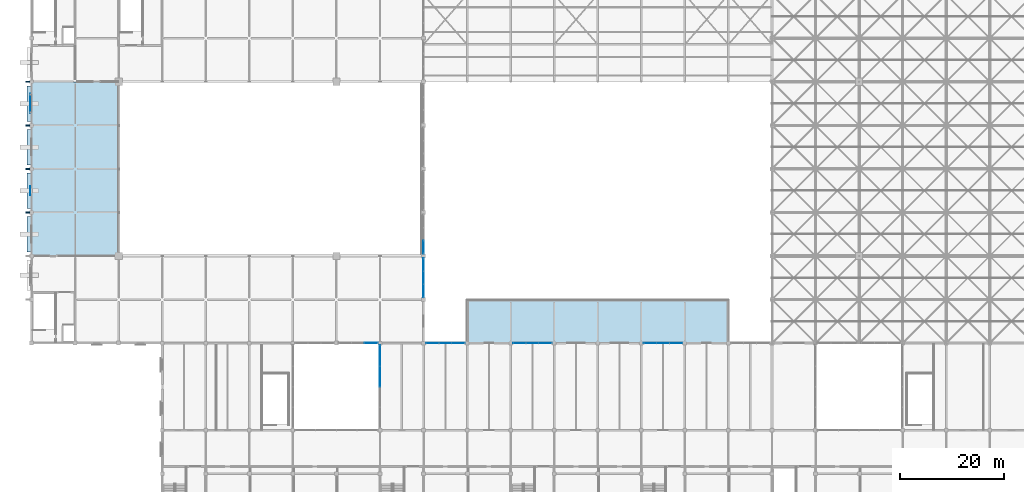
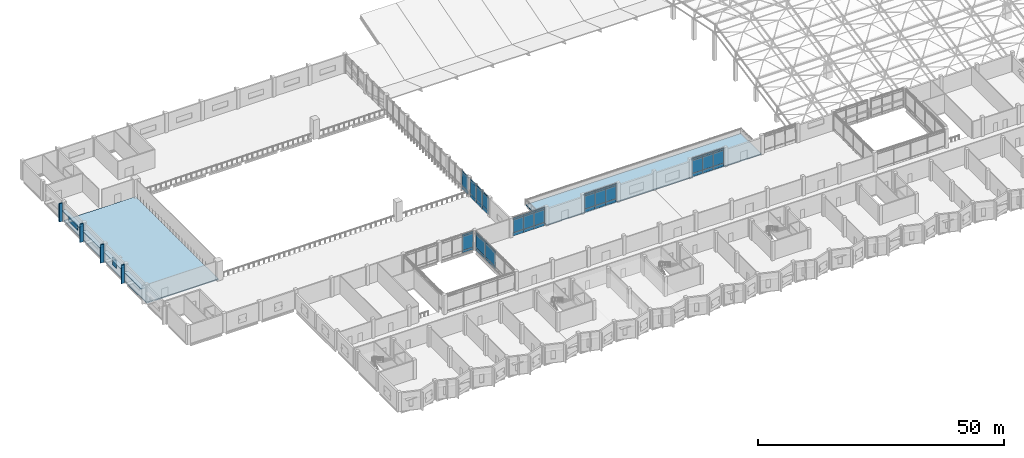
# One storey, part 73 of 110: 58 plates, 2 slabs, 7 elements without a shape of their own.
"""IFC4 building model written with IfcOpenShell, lengths in metres."""

from ifc_helpers import new_model, si_unit, direction, frame, frame_2d, origin, place, context, subcontext, project, spatial, polyline, rectangle, outline, extrude, material, layer, layer_set, type_object, element, aggregate, save


model = new_model("IFC4")

# Units and contexts
model_context = context("Model", 3, precision=1e-05, world=origin(), true_north=direction((0.0, 1.0)))
body_context = subcontext(model_context, "Body", "Model", "MODEL_VIEW")
ifc_project = project(units=[si_unit("LENGTHUNIT", "METRE"), si_unit("AREAUNIT", "SQUARE_METRE"), si_unit("VOLUMEUNIT", "CUBIC_METRE"), si_unit("PLANEANGLEUNIT", "RADIAN"), si_unit("MASSUNIT", "GRAM", prefix="KILO")], contexts=[model_context])

# Site, building, storey
site_placement = place(None, origin())
site = spatial("IfcSite", under=ifc_project, at=site_placement, CompositionType="ELEMENT")
building_placement = place(site_placement, origin())
building = spatial("IfcBuilding", under=site, at=building_placement, Name="Qawsi Khor Wholesale Market", CompositionType="ELEMENT")
storey_placement = place(building_placement, frame((0.0, 0.0, 11.39990234375)))
storey = spatial("IfcBuildingStorey", under=building, at=storey_placement, Name="L02", CompositionType="ELEMENT", Elevation=11.39990234375)

# Curtain wall, plate
ifc_material_1 = material(Name="Aluminium Anodised Bronze", Category="aluminium")
ifc_layer_1 = layer(ifc_material_1, 0.179931640625, Name="Aluminium Anodised Bronze")
ifc_layer_set_1 = layer_set([ifc_layer_1], Name="Aluminium Anodised Bronze")
curtain_wall_type_1 = type_object("IfcCurtainWallType", Name="Atrium Full-Height Curtain Wall CW-02", PredefinedType="NOTDEFINED", material=ifc_layer_set_1)
curtain_wall_1_placement = place(storey_placement, origin())
curtain_wall_1 = element("IfcCurtainWall", 1, at=curtain_wall_1_placement, inside=storey, type_object=curtain_wall_type_1, Name="Curtain wall CW-CW-02-L02-023", PredefinedType="NOTDEFINED")
ifc_material_2 = material(Name="Anodised Aluminium Spandrel", Category="aluminium")
ifc_layer_2 = layer(ifc_material_2, 0.06494140625, Name="Anodised Aluminium Spandrel")
ifc_layer_set_2 = layer_set([ifc_layer_2], Name="Anodised Aluminium Spandrel")
plate_type_1 = type_object("IfcPlateType", Name="Insulated Spandrel Panel CW-02 65mm", PredefinedType="CURTAIN_PANEL", material=ifc_layer_set_2)
plate_1_placement = place(storey_placement, frame((64.260009765625, 42.0, 0.005126953125), z_axis=(0.0, 0.0, 1.0), x_axis=(1.0, 0.0, 0.0)))
plate_1 = element("IfcPlate", 2, at=plate_1_placement, type_object=plate_type_1, Name="Curtain panel CW-CW-02-L02-023-P0_02", PredefinedType="CURTAIN_PANEL", context=body_context, shape_type="SweptSolid", body=[
    extrude(rectangle(XDim=2.494873046875, YDim=0.06494140625, at=frame_2d((1.24755859375, 0.0))), origin(), (0.0, 0.0, 1.0), 0.590087890625),
])

# Curtain wall, plates
curtain_wall_2_placement = place(storey_placement, origin())
curtain_wall_2 = element("IfcCurtainWall", 3, at=curtain_wall_2_placement, inside=storey, type_object=curtain_wall_type_1, Name="Curtain wall CW-CW-02-L02-025", PredefinedType="NOTDEFINED")
plate_2_placement = place(storey_placement, frame((67.199951171875, 33.60009765625, 0.005126953125), z_axis=(0.0, 0.0, 1.0), x_axis=(0.0, 1.0, 0.0)))
plate_2 = element("IfcPlate", 4, at=plate_2_placement, type_object=plate_type_1, Name="Curtain panel CW-CW-02-L02-025-P0_02", PredefinedType="CURTAIN_PANEL", context=body_context, shape_type="SweptSolid", body=[
    extrude(rectangle(XDim=3.977294921875, YDim=0.06494140625, at=frame_2d((1.98876953125, 0.0))), origin(), (0.0, 0.0, 1.0), 0.590087890625),
])
plate_3_placement = place(storey_placement, frame((67.199951171875, 37.577392578125, 0.005126953125), z_axis=(0.0, 0.0, 1.0), x_axis=(0.0, 1.0, 0.0)))
plate_3 = element("IfcPlate", 5, at=plate_3_placement, type_object=plate_type_1, Name="Curtain panel CW-CW-02-L02-025-P0_03", PredefinedType="CURTAIN_PANEL", context=body_context, shape_type="SweptSolid", body=[
    extrude(rectangle(XDim=3.9775390625, YDim=0.06494140625, at=frame_2d((1.98876953125, 0.0))), origin(), (0.0, 0.0, 1.0), 0.590087890625),
])

ifc_layer_3 = layer(ifc_material_1, 0.199951171875, Name="Aluminium Anodised Bronze")
ifc_layer_set_3 = layer_set([ifc_layer_3], Name="Aluminium Anodised Bronze")
curtain_wall_type_2 = type_object("IfcCurtainWallType", Name="Trading Hall North-Light Curtain Wall CW-03", PredefinedType="NOTDEFINED", material=ifc_layer_set_3)
curtain_wall_3_placement = place(storey_placement, origin())
curtain_wall_3 = element("IfcCurtainWall", 6, at=curtain_wall_3_placement, inside=storey, type_object=curtain_wall_type_2, Name="Curtain wall CW-CW-03-L02-074", PredefinedType="NOTDEFINED")
ifc_layer_4 = layer(ifc_material_2, 0.074951171875, Name="Anodised Aluminium Spandrel")
ifc_layer_set_4 = layer_set([ifc_layer_4], Name="Anodised Aluminium Spandrel")
plate_type_2 = type_object("IfcPlateType", Name="Insulated Spandrel Panel CW-03 75mm", PredefinedType="CURTAIN_PANEL", material=ifc_layer_set_4)
plate_4_placement = place(storey_placement, frame((75.60009765625, 50.87255859375, 0.005126953125), z_axis=(0.0, 0.0, 1.0), x_axis=(0.0, 1.0, 0.0)))
plate_4 = element("IfcPlate", 7, at=plate_4_placement, type_object=plate_type_2, Name="Curtain panel CW-CW-03-L02-074-P0_00", PredefinedType="CURTAIN_PANEL", context=body_context, shape_type="SweptSolid", body=[
    extrude(rectangle(XDim=2.48486328125, YDim=0.074951171875, at=frame_2d((1.242431640625, 0.0))), origin(), (0.0, 0.0, 1.0), 0.840087890625),
])
plate_5_placement = place(storey_placement, frame((75.60009765625, 53.357421875, 0.005126953125), z_axis=(0.0, 0.0, 1.0), x_axis=(0.0, 1.0, 0.0)))
plate_5 = element("IfcPlate", 8, at=plate_5_placement, type_object=plate_type_2, Name="Curtain panel CW-CW-03-L02-074-P0_01", PredefinedType="CURTAIN_PANEL", context=body_context, shape_type="SweptSolid", body=[
    extrude(rectangle(XDim=2.485107421875, YDim=0.074951171875, at=frame_2d((1.24267578125, 0.0))), origin(), (0.0, 0.0, 1.0), 0.840087890625),
])
plate_6_placement = place(storey_placement, frame((75.60009765625, 55.842529296875, 0.005126953125), z_axis=(0.0, 0.0, 1.0), x_axis=(0.0, 1.0, 0.0)))
plate_6 = element("IfcPlate", 9, at=plate_6_placement, type_object=plate_type_2, Name="Curtain panel CW-CW-03-L02-074-P0_02", PredefinedType="CURTAIN_PANEL", context=body_context, shape_type="SweptSolid", body=[
    extrude(rectangle(XDim=2.48486328125, YDim=0.074951171875, at=frame_2d((1.242431640625, 0.0))), origin(), (0.0, 0.0, 1.0), 0.840087890625),
])

# Curtain wall, plate
curtain_wall_4_placement = place(storey_placement, origin())
curtain_wall_4 = element("IfcCurtainWall", 10, at=curtain_wall_4_placement, inside=storey, type_object=curtain_wall_type_2, Name="Curtain wall CW-CW-03-L02-079", PredefinedType="NOTDEFINED")
plate_7_placement = place(storey_placement, frame((75.60009765625, 59.2724609375, 0.005126953125), z_axis=(0.0, 0.0, 1.0), x_axis=(0.0, 1.0, 0.0)))
plate_7 = element("IfcPlate", 11, at=plate_7_placement, type_object=plate_type_2, Name="Curtain panel CW-CW-03-L02-079-P0_00", PredefinedType="CURTAIN_PANEL", context=body_context, shape_type="SweptSolid", body=[
    extrude(rectangle(XDim=2.485107421875, YDim=0.074951171875, at=frame_2d((1.24267578125, 0.0))), origin(), (0.0, 0.0, 1.0), 0.840087890625),
])

# Curtain wall, plates
ifc_layer_5 = layer(ifc_material_1, 0.169921875, Name="Aluminium Anodised Bronze")
ifc_layer_set_5 = layer_set([ifc_layer_5], Name="Aluminium Anodised Bronze")
curtain_wall_type_3 = type_object("IfcCurtainWallType", Name="Central Court Gallery Curtain Wall CW-05", PredefinedType="NOTDEFINED", material=ifc_layer_set_5)
curtain_wall_5_placement = place(storey_placement, origin())
curtain_wall_5 = element("IfcCurtainWall", 12, at=curtain_wall_5_placement, inside=storey, type_object=curtain_wall_type_3, Name="Curtain wall CW-CW-05-L02-066", PredefinedType="NOTDEFINED")
ifc_layer_6 = layer(ifc_material_2, 0.094970703125, Name="Anodised Aluminium Spandrel")
ifc_layer_set_6 = layer_set([ifc_layer_6], Name="Anodised Aluminium Spandrel")
plate_type_3 = type_object("IfcPlateType", Name="Insulated Spandrel Panel CW-05 95mm", PredefinedType="CURTAIN_PANEL", material=ifc_layer_set_6)
plate_8_placement = place(storey_placement, frame((76.10009765625, 42.0, 0.005126953125), z_axis=(0.0, 0.0, 1.0), x_axis=(1.0, 0.0, 0.0)))
plate_8 = element("IfcPlate", 13, at=plate_8_placement, type_object=plate_type_3, Name="Curtain panel CW-CW-05-L02-066-P0_00", PredefinedType="CURTAIN_PANEL", context=body_context, shape_type="SweptSolid", body=[
    extrude(rectangle(XDim=2.466552734375, YDim=0.094970703125, at=frame_2d((1.2333984375, 0.0))), origin(), (0.0, 0.0, 1.0), 0.840087890625),
])
plate_9_placement = place(storey_placement, frame((78.566650390625, 42.0, 0.005126953125), z_axis=(0.0, 0.0, 1.0), x_axis=(1.0, 0.0, 0.0)))
plate_9 = element("IfcPlate", 14, at=plate_9_placement, type_object=plate_type_3, Name="Curtain panel CW-CW-05-L02-066-P0_01", PredefinedType="CURTAIN_PANEL", context=body_context, shape_type="SweptSolid", body=[
    extrude(rectangle(XDim=2.466552734375, YDim=0.094970703125, at=frame_2d((1.2333984375, 0.0))), origin(), (0.0, 0.0, 1.0), 0.840087890625),
])
plate_10_placement = place(storey_placement, frame((81.033203125, 42.0, 0.005126953125), z_axis=(0.0, 0.0, 1.0), x_axis=(1.0, 0.0, 0.0)))
plate_10 = element("IfcPlate", 15, at=plate_10_placement, type_object=plate_type_3, Name="Curtain panel CW-CW-05-L02-066-P0_02", PredefinedType="CURTAIN_PANEL", context=body_context, shape_type="SweptSolid", body=[
    extrude(rectangle(XDim=2.466796875, YDim=0.094970703125, at=frame_2d((1.2333984375, 0.0))), origin(), (0.0, 0.0, 1.0), 0.840087890625),
])

curtain_wall_6_placement = place(storey_placement, origin())
curtain_wall_6 = element("IfcCurtainWall", 16, at=curtain_wall_6_placement, inside=storey, type_object=curtain_wall_type_3, Name="Curtain wall CW-CW-05-L02-067", PredefinedType="NOTDEFINED")
plate_11_placement = place(storey_placement, frame((92.89990234375, 42.0, 0.005126953125), z_axis=(0.0, 0.0, 1.0), x_axis=(1.0, 0.0, 0.0)))
plate_11 = element("IfcPlate", 17, at=plate_11_placement, type_object=plate_type_3, Name="Curtain panel CW-CW-05-L02-067-P0_00", PredefinedType="CURTAIN_PANEL", context=body_context, shape_type="SweptSolid", body=[
    extrude(rectangle(XDim=2.466796875, YDim=0.094970703125, at=frame_2d((1.2333984375, 0.0))), origin(), (0.0, 0.0, 1.0), 0.840087890625),
])
plate_12_placement = place(storey_placement, frame((95.36669921875, 42.0, 0.005126953125), z_axis=(0.0, 0.0, 1.0), x_axis=(1.0, 0.0, 0.0)))
plate_12 = element("IfcPlate", 18, at=plate_12_placement, type_object=plate_type_3, Name="Curtain panel CW-CW-05-L02-067-P0_01", PredefinedType="CURTAIN_PANEL", context=body_context, shape_type="SweptSolid", body=[
    extrude(rectangle(XDim=2.466552734375, YDim=0.094970703125, at=frame_2d((1.2333984375, 0.0))), origin(), (0.0, 0.0, 1.0), 0.840087890625),
])
plate_13_placement = place(storey_placement, frame((97.833251953125, 42.0, 0.005126953125), z_axis=(0.0, 0.0, 1.0), x_axis=(1.0, 0.0, 0.0)))
plate_13 = element("IfcPlate", 19, at=plate_13_placement, type_object=plate_type_3, Name="Curtain panel CW-CW-05-L02-067-P0_02", PredefinedType="CURTAIN_PANEL", context=body_context, shape_type="SweptSolid", body=[
    extrude(rectangle(XDim=2.466796875, YDim=0.094970703125, at=frame_2d((1.2333984375, 0.0))), origin(), (0.0, 0.0, 1.0), 0.840087890625),
])

curtain_wall_7_placement = place(storey_placement, origin())
curtain_wall_7 = element("IfcCurtainWall", 20, at=curtain_wall_7_placement, inside=storey, type_object=curtain_wall_type_3, Name="Curtain wall CW-CW-05-L02-068", PredefinedType="NOTDEFINED")
plate_14_placement = place(storey_placement, frame((118.10009765625, 42.0, 0.005126953125), z_axis=(0.0, 0.0, 1.0), x_axis=(1.0, 0.0, 0.0)))
plate_14 = element("IfcPlate", 21, at=plate_14_placement, type_object=plate_type_3, Name="Curtain panel CW-CW-05-L02-068-P0_00", PredefinedType="CURTAIN_PANEL", context=body_context, shape_type="SweptSolid", body=[
    extrude(rectangle(XDim=2.466552734375, YDim=0.094970703125, at=frame_2d((1.2333984375, 0.0))), origin(), (0.0, 0.0, 1.0), 0.840087890625),
])
plate_15_placement = place(storey_placement, frame((120.566650390625, 42.0, 0.005126953125), z_axis=(0.0, 0.0, 1.0), x_axis=(1.0, 0.0, 0.0)))
plate_15 = element("IfcPlate", 22, at=plate_15_placement, type_object=plate_type_3, Name="Curtain panel CW-CW-05-L02-068-P0_01", PredefinedType="CURTAIN_PANEL", context=body_context, shape_type="SweptSolid", body=[
    extrude(rectangle(XDim=2.466552734375, YDim=0.094970703125, at=frame_2d((1.2333984375, 0.0))), origin(), (0.0, 0.0, 1.0), 0.840087890625),
])
plate_16_placement = place(storey_placement, frame((123.033203125, 42.0, 0.005126953125), z_axis=(0.0, 0.0, 1.0), x_axis=(1.0, 0.0, 0.0)))
plate_16 = element("IfcPlate", 23, at=plate_16_placement, type_object=plate_type_3, Name="Curtain panel CW-CW-05-L02-068-P0_02", PredefinedType="CURTAIN_PANEL", context=body_context, shape_type="SweptSolid", body=[
    extrude(rectangle(XDim=2.466796875, YDim=0.094970703125, at=frame_2d((1.2333984375, 0.0))), origin(), (0.0, 0.0, 1.0), 0.840087890625),
])

# Slabs
ifc_material_3 = material(Name="Concrete C40/50", Category="concrete")
ifc_layer_7 = layer(ifc_material_3, 0.27001953125, Name="Concrete C40/50")
ifc_layer_set_7 = layer_set([ifc_layer_7], Name="Concrete C40/50")
slab_type_1 = type_object("IfcSlabType", Name="Mezzanine Floor Slab 265 C40/50", PredefinedType="FLOOR", material=ifc_layer_set_7)
slab_1_placement = place(storey_placement, frame((0.0, 0.0, -0.27001953125)))
element("IfcSlab", 24, at=slab_1_placement, inside=storey, type_object=slab_type_1, Name="SLB-L02-WHALL-W", PredefinedType="FLOOR", context=body_context, shape_type="SweptSolid", body=[
    extrude(outline(polyline([(0.0, 92.39990234375), (16.800048828125, 92.39990234375), (16.800048828125, 58.800048828125), (0.0, 58.800048828125), (0.0, 92.39990234375)])), origin(), (0.0, 0.0, 1.0), 0.27001953125),
])
ifc_layer_8 = layer(ifc_material_3, 0.25, Name="Concrete C40/50")
ifc_layer_set_8 = layer_set([ifc_layer_8], Name="Concrete C40/50")
slab_type_2 = type_object("IfcSlabType", Name="Outdoor Terrace Structural Slab 250 C40/50", PredefinedType="FLOOR", material=ifc_layer_set_8)
slab_2_placement = place(storey_placement, frame((0.0, 0.0, -0.25)))
element("IfcSlab", 25, at=slab_2_placement, inside=storey, type_object=slab_type_2, Name="L02 Court Dining Balcony Slab", PredefinedType="FLOOR", context=body_context, shape_type="SweptSolid", body=[
    extrude(outline(polyline([(84.0, 42.02001953125), (134.39990234375, 42.02001953125), (134.39990234375, 50.39990234375), (84.0, 50.39990234375), (84.0, 42.02001953125)])), origin(), (0.0, 0.0, 1.0), 0.25),
])

# Plates
ifc_material_4 = material(Name="Perforated Bronze-Anodised Aluminium", Category="aluminium")
ifc_layer_9 = layer(ifc_material_4, 0.02001953125, Name="Perforated Bronze-Anodised Aluminium")
ifc_layer_set_9 = layer_set([ifc_layer_9], Name="Perforated Bronze-Anodised Aluminium")
plate_type_4 = type_object("IfcPlateType", Name="Perforated Bronze Mashrabiya Screen 20mm", PredefinedType="SHEET", material=ifc_layer_set_9)
plate_17_placement = place(storey_placement, frame((-0.27490234375, 70.5400390625, 1.300048828125), z_axis=(0.0, 0.0, 1.0), x_axis=(0.0, 1.0, 0.0)))
element("IfcPlate", 26, at=plate_17_placement, inside=storey, type_object=plate_type_4, Name="Solar mashrabiya screen 081", PredefinedType="SHEET", context=body_context, shape_type="SweptSolid", body=[
    extrude(rectangle(XDim=1.719970703125, YDim=0.02001953125, at=frame_2d((0.85986328125, 0.0))), origin(), (0.0, 0.0, 1.0), 1.949951171875),
])
plate_18_placement = place(storey_placement, frame((-0.27490234375, 86.300048828125, 1.300048828125), z_axis=(0.0, 0.0, 1.0), x_axis=(0.0, 1.0, 0.0)))
element("IfcPlate", 27, at=plate_18_placement, inside=storey, type_object=plate_type_4, Name="Solar mashrabiya screen 082", PredefinedType="SHEET", context=body_context, shape_type="SweptSolid", body=[
    extrude(rectangle(XDim=3.800048828125, YDim=0.02001953125, at=frame_2d((1.89990234375, 0.0))), origin(), (0.0, 0.0, 1.0), 1.400146484375),
])
ifc_layer_10 = layer(ifc_material_3, 0.260009765625, Name="Concrete C40/50")
ifc_layer_set_10 = layer_set([ifc_layer_10], Name="Concrete C40/50")
plate_type_5 = type_object("IfcPlateType", Name="Sculpted Concrete Solar Buttress Fin 260", PredefinedType="SHEET", material=ifc_layer_set_10)
for number, where, z_axis, x_axis, name in (
    (28, (-1.14990234375, 67.199951171875, 0.0), (0.0, 0.0, 1.0), (1.0, 0.0, 0.0), "West Hall Concrete Buttress Rib L02-8"),
    (29, (-1.14990234375, 75.60009765625, 0.0), (0.0, 0.0, 1.0), (1.0, 0.0, 0.0), "West Hall Concrete Buttress Rib L02-9"),
    (30, (-1.14990234375, 84.0, 0.0), (0.0, 0.0, 1.0), (1.0, 0.0, 0.0), "West Hall Concrete Buttress Rib L02-10"),
    (31, (-1.14990234375, 92.39990234375, 0.0), (0.0, 0.0, 1.0), (1.0, 0.0, 0.0), "West Hall Concrete Buttress Rib L02-11"),
):
    element("IfcPlate", number, at=place(storey_placement, frame(where, z_axis=z_axis, x_axis=x_axis)), inside=storey, type_object=plate_type_5, Name=name, PredefinedType="SHEET", context=body_context, shape_type="SweptSolid", body=[
        extrude(rectangle(XDim=0.760009765625, YDim=0.260009765625, at=frame_2d((0.3798828125, 0.0))), origin(), (0.0, 0.0, 1.0), 4.52001953125),
    ])
ifc_layer_11 = layer(ifc_material_3, 0.949951171875, Name="Concrete C40/50")
ifc_layer_set_11 = layer_set([ifc_layer_11], Name="Concrete C40/50")
plate_type_6 = type_object("IfcPlateType", Name="Sculpted Concrete Sun-Hood Canopy 950", PredefinedType="SHEET", material=ifc_layer_set_11)
plate_19_placement = place(storey_placement, frame((-0.425048828125, 59.580078125, 3.050048828125), z_axis=(0.0, 0.0, 1.0), x_axis=(0.0, 1.0, 0.0)))
element("IfcPlate", 32, at=plate_19_placement, inside=storey, type_object=plate_type_6, Name="West Hall Concrete Sun-Hood L02-7", PredefinedType="SHEET", context=body_context, shape_type="SweptSolid", body=[
    extrude(rectangle(XDim=6.83984375, YDim=0.949951171875, at=frame_2d((3.419921875, 0.0))), origin(), (0.0, 0.0, 1.0), 0.18994140625),
])
for number, where, z_axis, x_axis, name in (
    (33, (-0.425048828125, 67.97998046875, 3.050048828125), (0.0, 0.0, 1.0), (0.0, 1.0, 0.0), "West Hall Concrete Sun-Hood L02-8"),
    (34, (-0.425048828125, 76.3798828125, 3.050048828125), (0.0, 0.0, 1.0), (0.0, 1.0, 0.0), "West Hall Concrete Sun-Hood L02-9"),
    (35, (-0.425048828125, 84.780029296875, 3.050048828125), (0.0, 0.0, 1.0), (0.0, 1.0, 0.0), "West Hall Concrete Sun-Hood L02-10"),
):
    element("IfcPlate", number, at=place(storey_placement, frame(where, z_axis=z_axis, x_axis=x_axis)), inside=storey, type_object=plate_type_6, Name=name, PredefinedType="SHEET", context=body_context, shape_type="SweptSolid", body=[
        extrude(rectangle(XDim=6.840087890625, YDim=0.949951171875, at=frame_2d((3.419921875, 0.0))), origin(), (0.0, 0.0, 1.0), 0.18994140625),
    ])

# Plate
ifc_material_5 = material(Name="Tempered Low-E Solar Glass", Category="glass")
ifc_layer_12 = layer(ifc_material_5, 0.031982421875, Name="Tempered Low-E Solar Glass")
ifc_layer_set_12 = layer_set([ifc_layer_12], Name="Tempered Low-E Solar Glass")
plate_type_7 = type_object("IfcPlateType", Name="Solar Double-Glazed Unit CW-02 32mm", PredefinedType="CURTAIN_PANEL", material=ifc_layer_set_12)
plate_20_placement = place(storey_placement, frame((64.260009765625, 42.0, 0.60498046875), z_axis=(0.0, 0.0, 1.0), x_axis=(1.0, 0.0, 0.0)))
plate_20 = element("IfcPlate", 36, at=plate_20_placement, type_object=plate_type_7, Name="Curtain panel CW-CW-02-L02-023-P1_02", PredefinedType="CURTAIN_PANEL", context=body_context, shape_type="SweptSolid", body=[
    extrude(rectangle(XDim=2.494873046875, YDim=0.031982421875, at=frame_2d((1.24755859375, 0.0))), origin(), (0.0, 0.0, 1.0), 3.460205078125),
])

plate_21_placement = place(storey_placement, frame((64.260009765625, 42.0, 4.0751953125), z_axis=(0.0, 0.0, 1.0), x_axis=(1.0, 0.0, 0.0)))
plate_21 = element("IfcPlate", 37, at=plate_21_placement, type_object=plate_type_7, Name="Curtain panel CW-CW-02-L02-023-P2_02", PredefinedType="CURTAIN_PANEL", context=body_context, shape_type="SweptSolid", body=[
    extrude(rectangle(XDim=2.494873046875, YDim=0.031982421875, at=frame_2d((1.24755859375, 0.0))), origin(), (0.0, 0.0, 1.0), 0.43994140625),
])

aggregate(curtain_wall_1, [plate_1, plate_20, plate_21])

plate_22_placement = place(storey_placement, frame((67.199951171875, 33.60009765625, 0.60498046875), z_axis=(0.0, 0.0, 1.0), x_axis=(0.0, 1.0, 0.0)))
plate_22 = element("IfcPlate", 38, at=plate_22_placement, type_object=plate_type_7, Name="Curtain panel CW-CW-02-L02-025-P1_02", PredefinedType="CURTAIN_PANEL", context=body_context, shape_type="SweptSolid", body=[
    extrude(rectangle(XDim=3.977294921875, YDim=0.031982421875, at=frame_2d((1.98876953125, 0.0))), origin(), (0.0, 0.0, 1.0), 3.460205078125),
])

plate_23_placement = place(storey_placement, frame((67.199951171875, 37.577392578125, 0.60498046875), z_axis=(0.0, 0.0, 1.0), x_axis=(0.0, 1.0, 0.0)))
plate_23 = element("IfcPlate", 39, at=plate_23_placement, type_object=plate_type_7, Name="Curtain panel CW-CW-02-L02-025-P1_03", PredefinedType="CURTAIN_PANEL", context=body_context, shape_type="SweptSolid", body=[
    extrude(rectangle(XDim=3.9775390625, YDim=0.031982421875, at=frame_2d((1.98876953125, 0.0))), origin(), (0.0, 0.0, 1.0), 3.460205078125),
])

plate_24_placement = place(storey_placement, frame((67.199951171875, 33.60009765625, 4.0751953125), z_axis=(0.0, 0.0, 1.0), x_axis=(0.0, 1.0, 0.0)))
plate_24 = element("IfcPlate", 40, at=plate_24_placement, type_object=plate_type_7, Name="Curtain panel CW-CW-02-L02-025-P2_02", PredefinedType="CURTAIN_PANEL", context=body_context, shape_type="SweptSolid", body=[
    extrude(rectangle(XDim=3.977294921875, YDim=0.031982421875, at=frame_2d((1.98876953125, 0.0))), origin(), (0.0, 0.0, 1.0), 0.43994140625),
])

plate_25_placement = place(storey_placement, frame((67.199951171875, 37.577392578125, 4.0751953125), z_axis=(0.0, 0.0, 1.0), x_axis=(0.0, 1.0, 0.0)))
plate_25 = element("IfcPlate", 41, at=plate_25_placement, type_object=plate_type_7, Name="Curtain panel CW-CW-02-L02-025-P2_03", PredefinedType="CURTAIN_PANEL", context=body_context, shape_type="SweptSolid", body=[
    extrude(rectangle(XDim=3.9775390625, YDim=0.031982421875, at=frame_2d((1.98876953125, 0.0))), origin(), (0.0, 0.0, 1.0), 0.43994140625),
])

aggregate(curtain_wall_2, [plate_2, plate_3, plate_22, plate_23, plate_24, plate_25])

ifc_layer_13 = layer(ifc_material_5, 0.0419921875, Name="Tempered Low-E Solar Glass")
ifc_layer_set_13 = layer_set([ifc_layer_13], Name="Tempered Low-E Solar Glass")
plate_type_8 = type_object("IfcPlateType", Name="Solar Double-Glazed Unit CW-03 42mm", PredefinedType="CURTAIN_PANEL", material=ifc_layer_set_13)
plate_26_placement = place(storey_placement, frame((75.60009765625, 50.87255859375, 0.85498046875), z_axis=(0.0, 0.0, 1.0), x_axis=(0.0, 1.0, 0.0)))
plate_26 = element("IfcPlate", 42, at=plate_26_placement, type_object=plate_type_8, Name="Curtain panel CW-CW-03-L02-074-P1_00", PredefinedType="CURTAIN_PANEL", context=body_context, shape_type="SweptSolid", body=[
    extrude(rectangle(XDim=2.48486328125, YDim=0.0419921875, at=frame_2d((1.242431640625, 0.0))), origin(), (0.0, 0.0, 1.0), 3.210205078125),
])

plate_27_placement = place(storey_placement, frame((75.60009765625, 53.357421875, 0.85498046875), z_axis=(0.0, 0.0, 1.0), x_axis=(0.0, 1.0, 0.0)))
plate_27 = element("IfcPlate", 43, at=plate_27_placement, type_object=plate_type_8, Name="Curtain panel CW-CW-03-L02-074-P1_01", PredefinedType="CURTAIN_PANEL", context=body_context, shape_type="SweptSolid", body=[
    extrude(rectangle(XDim=2.485107421875, YDim=0.0419921875, at=frame_2d((1.24267578125, 0.0))), origin(), (0.0, 0.0, 1.0), 3.210205078125),
])

plate_28_placement = place(storey_placement, frame((75.60009765625, 55.842529296875, 0.85498046875), z_axis=(0.0, 0.0, 1.0), x_axis=(0.0, 1.0, 0.0)))
plate_28 = element("IfcPlate", 44, at=plate_28_placement, type_object=plate_type_8, Name="Curtain panel CW-CW-03-L02-074-P1_02", PredefinedType="CURTAIN_PANEL", context=body_context, shape_type="SweptSolid", body=[
    extrude(rectangle(XDim=2.48486328125, YDim=0.0419921875, at=frame_2d((1.242431640625, 0.0))), origin(), (0.0, 0.0, 1.0), 3.210205078125),
])

plate_29_placement = place(storey_placement, frame((75.60009765625, 50.87255859375, 4.0751953125), z_axis=(0.0, 0.0, 1.0), x_axis=(0.0, 1.0, 0.0)))
plate_29 = element("IfcPlate", 45, at=plate_29_placement, type_object=plate_type_8, Name="Curtain panel CW-CW-03-L02-074-P2_00", PredefinedType="CURTAIN_PANEL", context=body_context, shape_type="SweptSolid", body=[
    extrude(rectangle(XDim=2.48486328125, YDim=0.0419921875, at=frame_2d((1.242431640625, 0.0))), origin(), (0.0, 0.0, 1.0), 0.43994140625),
])

plate_30_placement = place(storey_placement, frame((75.60009765625, 53.357421875, 4.0751953125), z_axis=(0.0, 0.0, 1.0), x_axis=(0.0, 1.0, 0.0)))
plate_30 = element("IfcPlate", 46, at=plate_30_placement, type_object=plate_type_8, Name="Curtain panel CW-CW-03-L02-074-P2_01", PredefinedType="CURTAIN_PANEL", context=body_context, shape_type="SweptSolid", body=[
    extrude(rectangle(XDim=2.485107421875, YDim=0.0419921875, at=frame_2d((1.24267578125, 0.0))), origin(), (0.0, 0.0, 1.0), 0.43994140625),
])

plate_31_placement = place(storey_placement, frame((75.60009765625, 55.842529296875, 4.0751953125), z_axis=(0.0, 0.0, 1.0), x_axis=(0.0, 1.0, 0.0)))
plate_31 = element("IfcPlate", 47, at=plate_31_placement, type_object=plate_type_8, Name="Curtain panel CW-CW-03-L02-074-P2_02", PredefinedType="CURTAIN_PANEL", context=body_context, shape_type="SweptSolid", body=[
    extrude(rectangle(XDim=2.48486328125, YDim=0.0419921875, at=frame_2d((1.242431640625, 0.0))), origin(), (0.0, 0.0, 1.0), 0.43994140625),
])

aggregate(curtain_wall_3, [plate_4, plate_5, plate_6, plate_26, plate_27, plate_28, plate_29, plate_30, plate_31])

plate_32_placement = place(storey_placement, frame((75.60009765625, 59.2724609375, 0.85498046875), z_axis=(0.0, 0.0, 1.0), x_axis=(0.0, 1.0, 0.0)))
plate_32 = element("IfcPlate", 48, at=plate_32_placement, type_object=plate_type_8, Name="Curtain panel CW-CW-03-L02-079-P1_00", PredefinedType="CURTAIN_PANEL", context=body_context, shape_type="SweptSolid", body=[
    extrude(rectangle(XDim=2.485107421875, YDim=0.0419921875, at=frame_2d((1.24267578125, 0.0))), origin(), (0.0, 0.0, 1.0), 3.210205078125),
])

plate_33_placement = place(storey_placement, frame((75.60009765625, 59.2724609375, 4.0751953125), z_axis=(0.0, 0.0, 1.0), x_axis=(0.0, 1.0, 0.0)))
plate_33 = element("IfcPlate", 49, at=plate_33_placement, type_object=plate_type_8, Name="Curtain panel CW-CW-03-L02-079-P2_00", PredefinedType="CURTAIN_PANEL", context=body_context, shape_type="SweptSolid", body=[
    extrude(rectangle(XDim=2.485107421875, YDim=0.0419921875, at=frame_2d((1.24267578125, 0.0))), origin(), (0.0, 0.0, 1.0), 0.43994140625),
])

aggregate(curtain_wall_4, [plate_7, plate_32, plate_33])

ifc_layer_14 = layer(ifc_material_5, 0.035888671875, Name="Tempered Low-E Solar Glass")
ifc_layer_set_14 = layer_set([ifc_layer_14], Name="Tempered Low-E Solar Glass")
plate_type_9 = type_object("IfcPlateType", Name="Solar Double-Glazed Unit CW-05 36mm", PredefinedType="CURTAIN_PANEL", material=ifc_layer_set_14)
plate_34_placement = place(storey_placement, frame((76.10009765625, 42.0, 0.85498046875), z_axis=(0.0, 0.0, 1.0), x_axis=(1.0, 0.0, 0.0)))
plate_34 = element("IfcPlate", 50, at=plate_34_placement, type_object=plate_type_9, Name="Curtain panel CW-CW-05-L02-066-P1_00", PredefinedType="CURTAIN_PANEL", context=body_context, shape_type="SweptSolid", body=[
    extrude(rectangle(XDim=2.466552734375, YDim=0.035888671875, at=frame_2d((1.2333984375, 0.0))), origin(), (0.0, 0.0, 1.0), 3.210205078125),
])

plate_35_placement = place(storey_placement, frame((78.566650390625, 42.0, 0.85498046875), z_axis=(0.0, 0.0, 1.0), x_axis=(1.0, 0.0, 0.0)))
plate_35 = element("IfcPlate", 51, at=plate_35_placement, type_object=plate_type_9, Name="Curtain panel CW-CW-05-L02-066-P1_01", PredefinedType="CURTAIN_PANEL", context=body_context, shape_type="SweptSolid", body=[
    extrude(rectangle(XDim=2.466552734375, YDim=0.035888671875, at=frame_2d((1.2333984375, 0.0))), origin(), (0.0, 0.0, 1.0), 3.210205078125),
])

plate_36_placement = place(storey_placement, frame((81.033203125, 42.0, 0.85498046875), z_axis=(0.0, 0.0, 1.0), x_axis=(1.0, 0.0, 0.0)))
plate_36 = element("IfcPlate", 52, at=plate_36_placement, type_object=plate_type_9, Name="Curtain panel CW-CW-05-L02-066-P1_02", PredefinedType="CURTAIN_PANEL", context=body_context, shape_type="SweptSolid", body=[
    extrude(rectangle(XDim=2.466796875, YDim=0.035888671875, at=frame_2d((1.2333984375, 0.0))), origin(), (0.0, 0.0, 1.0), 3.210205078125),
])

plate_37_placement = place(storey_placement, frame((76.10009765625, 42.0, 4.0751953125), z_axis=(0.0, 0.0, 1.0), x_axis=(1.0, 0.0, 0.0)))
plate_37 = element("IfcPlate", 53, at=plate_37_placement, type_object=plate_type_9, Name="Curtain panel CW-CW-05-L02-066-P2_00", PredefinedType="CURTAIN_PANEL", context=body_context, shape_type="SweptSolid", body=[
    extrude(rectangle(XDim=2.466552734375, YDim=0.035888671875, at=frame_2d((1.2333984375, 0.0))), origin(), (0.0, 0.0, 1.0), 0.43994140625),
])

plate_38_placement = place(storey_placement, frame((78.566650390625, 42.0, 4.0751953125), z_axis=(0.0, 0.0, 1.0), x_axis=(1.0, 0.0, 0.0)))
plate_38 = element("IfcPlate", 54, at=plate_38_placement, type_object=plate_type_9, Name="Curtain panel CW-CW-05-L02-066-P2_01", PredefinedType="CURTAIN_PANEL", context=body_context, shape_type="SweptSolid", body=[
    extrude(rectangle(XDim=2.466552734375, YDim=0.035888671875, at=frame_2d((1.2333984375, 0.0))), origin(), (0.0, 0.0, 1.0), 0.43994140625),
])

plate_39_placement = place(storey_placement, frame((81.033203125, 42.0, 4.0751953125), z_axis=(0.0, 0.0, 1.0), x_axis=(1.0, 0.0, 0.0)))
plate_39 = element("IfcPlate", 55, at=plate_39_placement, type_object=plate_type_9, Name="Curtain panel CW-CW-05-L02-066-P2_02", PredefinedType="CURTAIN_PANEL", context=body_context, shape_type="SweptSolid", body=[
    extrude(rectangle(XDim=2.466796875, YDim=0.035888671875, at=frame_2d((1.2333984375, 0.0))), origin(), (0.0, 0.0, 1.0), 0.43994140625),
])

aggregate(curtain_wall_5, [plate_8, plate_9, plate_10, plate_34, plate_35, plate_36, plate_37, plate_38, plate_39])

plate_40_placement = place(storey_placement, frame((92.89990234375, 42.0, 0.85498046875), z_axis=(0.0, 0.0, 1.0), x_axis=(1.0, 0.0, 0.0)))
plate_40 = element("IfcPlate", 56, at=plate_40_placement, type_object=plate_type_9, Name="Curtain panel CW-CW-05-L02-067-P1_00", PredefinedType="CURTAIN_PANEL", context=body_context, shape_type="SweptSolid", body=[
    extrude(rectangle(XDim=2.466796875, YDim=0.035888671875, at=frame_2d((1.2333984375, 0.0))), origin(), (0.0, 0.0, 1.0), 3.210205078125),
])

plate_41_placement = place(storey_placement, frame((95.36669921875, 42.0, 0.85498046875), z_axis=(0.0, 0.0, 1.0), x_axis=(1.0, 0.0, 0.0)))
plate_41 = element("IfcPlate", 57, at=plate_41_placement, type_object=plate_type_9, Name="Curtain panel CW-CW-05-L02-067-P1_01", PredefinedType="CURTAIN_PANEL", context=body_context, shape_type="SweptSolid", body=[
    extrude(rectangle(XDim=2.466552734375, YDim=0.035888671875, at=frame_2d((1.2333984375, 0.0))), origin(), (0.0, 0.0, 1.0), 3.210205078125),
])

plate_42_placement = place(storey_placement, frame((97.833251953125, 42.0, 0.85498046875), z_axis=(0.0, 0.0, 1.0), x_axis=(1.0, 0.0, 0.0)))
plate_42 = element("IfcPlate", 58, at=plate_42_placement, type_object=plate_type_9, Name="Curtain panel CW-CW-05-L02-067-P1_02", PredefinedType="CURTAIN_PANEL", context=body_context, shape_type="SweptSolid", body=[
    extrude(rectangle(XDim=2.466796875, YDim=0.035888671875, at=frame_2d((1.2333984375, 0.0))), origin(), (0.0, 0.0, 1.0), 3.210205078125),
])

plate_43_placement = place(storey_placement, frame((92.89990234375, 42.0, 4.0751953125), z_axis=(0.0, 0.0, 1.0), x_axis=(1.0, 0.0, 0.0)))
plate_43 = element("IfcPlate", 59, at=plate_43_placement, type_object=plate_type_9, Name="Curtain panel CW-CW-05-L02-067-P2_00", PredefinedType="CURTAIN_PANEL", context=body_context, shape_type="SweptSolid", body=[
    extrude(rectangle(XDim=2.466796875, YDim=0.035888671875, at=frame_2d((1.2333984375, 0.0))), origin(), (0.0, 0.0, 1.0), 0.43994140625),
])

plate_44_placement = place(storey_placement, frame((95.36669921875, 42.0, 4.0751953125), z_axis=(0.0, 0.0, 1.0), x_axis=(1.0, 0.0, 0.0)))
plate_44 = element("IfcPlate", 60, at=plate_44_placement, type_object=plate_type_9, Name="Curtain panel CW-CW-05-L02-067-P2_01", PredefinedType="CURTAIN_PANEL", context=body_context, shape_type="SweptSolid", body=[
    extrude(rectangle(XDim=2.466552734375, YDim=0.035888671875, at=frame_2d((1.2333984375, 0.0))), origin(), (0.0, 0.0, 1.0), 0.43994140625),
])

plate_45_placement = place(storey_placement, frame((97.833251953125, 42.0, 4.0751953125), z_axis=(0.0, 0.0, 1.0), x_axis=(1.0, 0.0, 0.0)))
plate_45 = element("IfcPlate", 61, at=plate_45_placement, type_object=plate_type_9, Name="Curtain panel CW-CW-05-L02-067-P2_02", PredefinedType="CURTAIN_PANEL", context=body_context, shape_type="SweptSolid", body=[
    extrude(rectangle(XDim=2.466796875, YDim=0.035888671875, at=frame_2d((1.2333984375, 0.0))), origin(), (0.0, 0.0, 1.0), 0.43994140625),
])

aggregate(curtain_wall_6, [plate_11, plate_12, plate_13, plate_40, plate_41, plate_42, plate_43, plate_44, plate_45])

plate_46_placement = place(storey_placement, frame((118.10009765625, 42.0, 0.85498046875), z_axis=(0.0, 0.0, 1.0), x_axis=(1.0, 0.0, 0.0)))
plate_46 = element("IfcPlate", 62, at=plate_46_placement, type_object=plate_type_9, Name="Curtain panel CW-CW-05-L02-068-P1_00", PredefinedType="CURTAIN_PANEL", context=body_context, shape_type="SweptSolid", body=[
    extrude(rectangle(XDim=2.466552734375, YDim=0.035888671875, at=frame_2d((1.2333984375, 0.0))), origin(), (0.0, 0.0, 1.0), 3.210205078125),
])

plate_47_placement = place(storey_placement, frame((120.566650390625, 42.0, 0.85498046875), z_axis=(0.0, 0.0, 1.0), x_axis=(1.0, 0.0, 0.0)))
plate_47 = element("IfcPlate", 63, at=plate_47_placement, type_object=plate_type_9, Name="Curtain panel CW-CW-05-L02-068-P1_01", PredefinedType="CURTAIN_PANEL", context=body_context, shape_type="SweptSolid", body=[
    extrude(rectangle(XDim=2.466552734375, YDim=0.035888671875, at=frame_2d((1.2333984375, 0.0))), origin(), (0.0, 0.0, 1.0), 3.210205078125),
])

plate_48_placement = place(storey_placement, frame((123.033203125, 42.0, 0.85498046875), z_axis=(0.0, 0.0, 1.0), x_axis=(1.0, 0.0, 0.0)))
plate_48 = element("IfcPlate", 64, at=plate_48_placement, type_object=plate_type_9, Name="Curtain panel CW-CW-05-L02-068-P1_02", PredefinedType="CURTAIN_PANEL", context=body_context, shape_type="SweptSolid", body=[
    extrude(rectangle(XDim=2.466796875, YDim=0.035888671875, at=frame_2d((1.2333984375, 0.0))), origin(), (0.0, 0.0, 1.0), 3.210205078125),
])

plate_49_placement = place(storey_placement, frame((118.10009765625, 42.0, 4.0751953125), z_axis=(0.0, 0.0, 1.0), x_axis=(1.0, 0.0, 0.0)))
plate_49 = element("IfcPlate", 65, at=plate_49_placement, type_object=plate_type_9, Name="Curtain panel CW-CW-05-L02-068-P2_00", PredefinedType="CURTAIN_PANEL", context=body_context, shape_type="SweptSolid", body=[
    extrude(rectangle(XDim=2.466552734375, YDim=0.035888671875, at=frame_2d((1.2333984375, 0.0))), origin(), (0.0, 0.0, 1.0), 0.43994140625),
])

plate_50_placement = place(storey_placement, frame((120.566650390625, 42.0, 4.0751953125), z_axis=(0.0, 0.0, 1.0), x_axis=(1.0, 0.0, 0.0)))
plate_50 = element("IfcPlate", 66, at=plate_50_placement, type_object=plate_type_9, Name="Curtain panel CW-CW-05-L02-068-P2_01", PredefinedType="CURTAIN_PANEL", context=body_context, shape_type="SweptSolid", body=[
    extrude(rectangle(XDim=2.466552734375, YDim=0.035888671875, at=frame_2d((1.2333984375, 0.0))), origin(), (0.0, 0.0, 1.0), 0.43994140625),
])

plate_51_placement = place(storey_placement, frame((123.033203125, 42.0, 4.0751953125), z_axis=(0.0, 0.0, 1.0), x_axis=(1.0, 0.0, 0.0)))
plate_51 = element("IfcPlate", 67, at=plate_51_placement, type_object=plate_type_9, Name="Curtain panel CW-CW-05-L02-068-P2_02", PredefinedType="CURTAIN_PANEL", context=body_context, shape_type="SweptSolid", body=[
    extrude(rectangle(XDim=2.466796875, YDim=0.035888671875, at=frame_2d((1.2333984375, 0.0))), origin(), (0.0, 0.0, 1.0), 0.43994140625),
])

aggregate(curtain_wall_7, [plate_14, plate_15, plate_16, plate_46, plate_47, plate_48, plate_49, plate_50, plate_51])

save(model, "model.ifc")
